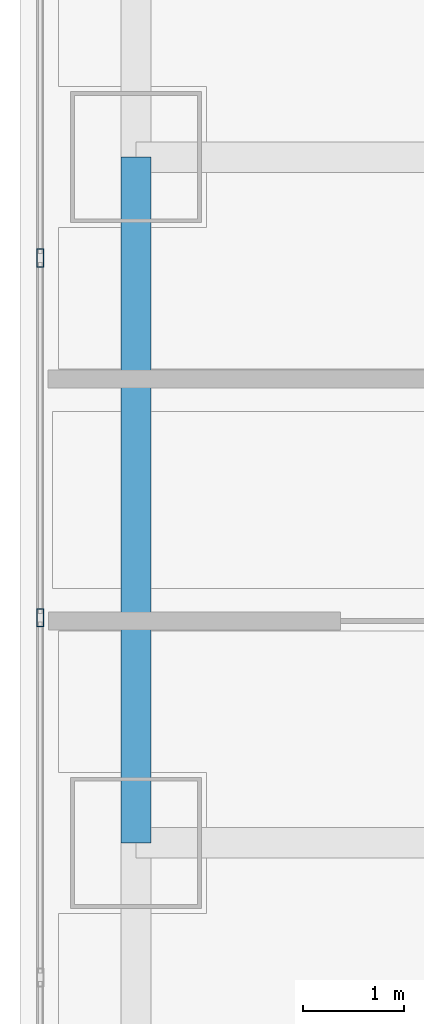
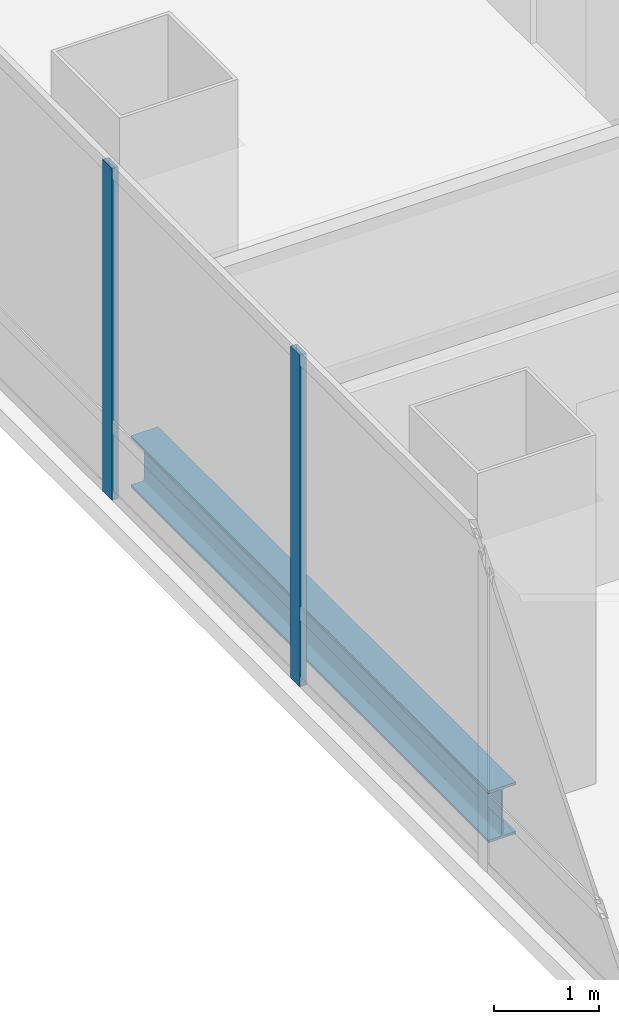
# One storey, part 10 of 39: 2 members, 1 beam, 1 element without a shape of its own.
"""IFC4 building model written with IfcOpenShell, lengths in metres."""

from ifc_helpers import new_model, si_unit, direction, frame, origin, origin_2d, place, context, subcontext, project, spatial, hollow_rectangle, i_section, extrude, material, material_profile, profile_set, type_object, element, aggregate, save


model = new_model("IFC4")

# Units and contexts
model_context = context("Model", 3, precision=1e-05, world=origin(), true_north=direction((0.0, 1.0)))
body_context = subcontext(model_context, "Body", "Model", "MODEL_VIEW")
ifc_project = project(units=[si_unit("LENGTHUNIT", "METRE"), si_unit("AREAUNIT", "SQUARE_METRE"), si_unit("VOLUMEUNIT", "CUBIC_METRE"), si_unit("PLANEANGLEUNIT", "RADIAN"), si_unit("MASSUNIT", "GRAM", prefix="KILO")], contexts=[model_context])

# Site, building, storey
site_placement = place(None, origin())
site = spatial("IfcSite", under=ifc_project, at=site_placement, CompositionType="ELEMENT")
building_placement = place(site_placement, origin())
building = spatial("IfcBuilding", under=site, at=building_placement, Name="Punatoya Terracotta Tower", CompositionType="ELEMENT")
storey_placement = place(building_placement, frame((0.0, 0.0, 275.699951171875)))
storey = spatial("IfcBuildingStorey", under=building, at=storey_placement, Name="L65", CompositionType="ELEMENT", Elevation=275.699951171875)

# Beam
ifc_material_1 = material(Name="Steel S355", Category="steel")
ifc_material_profile_1 = material_profile(ifc_material_1, i_section(OverallWidth=0.300048828125, OverallDepth=0.60009765625, WebThickness=0.015380859375, FlangeThickness=0.030029296875, FilletRadius=0.01806640625, at=origin_2d()))
ifc_profile_set_1 = profile_set([ifc_material_profile_1], Name="Steel S355")
beam_type = type_object("IfcBeamType", Name="BM-PRI-600", PredefinedType="BEAM", material=ifc_profile_set_1)
beam_placement = place(storey_placement, frame((-19.10009765625, -3.39990234375, -0.5), z_axis=(0.0, 1.0, 0.0), x_axis=(-1.0, 0.0, 0.0)))
element("IfcBeam", 1, at=beam_placement, inside=storey, type_object=beam_type, Name="BM-L65-RG-W2", PredefinedType="BEAM", context=body_context, shape_type="SweptSolid", body=[
    extrude(i_section(OverallWidth=0.300048828125, OverallDepth=0.60009765625, WebThickness=0.015380859375, FlangeThickness=0.030029296875, FilletRadius=0.01806640625, at=origin_2d()), origin(), (0.0, 0.0, 1.0), 6.7998046875),
])

# Curtain wall, members
ifc_material_2 = material(Name="Aluminium 6063-T6 + Double Low-E Glass", Category="aluminium")
curtain_wall_type = type_object("IfcCurtainWallType", Name="CW-M3", PredefinedType="NOTDEFINED", material=ifc_material_2)
curtain_wall_placement = place(storey_placement, origin())
curtain_wall = element("IfcCurtainWall", 2, at=curtain_wall_placement, inside=storey, type_object=curtain_wall_type, Name="L65 Curtain Wall CW-L65-W13-1", PredefinedType="NOTDEFINED")
ifc_material_3 = material(Name="Aluminium 6063-T6", Category="aluminium")
ifc_material_profile_2 = material_profile(ifc_material_3, hollow_rectangle(XDim=0.070068359375, YDim=0.179931640625, WallThickness=0.00390625, at=origin_2d()))
ifc_profile_set_2 = profile_set([ifc_material_profile_2], Name="Aluminium 6063-T6")
member_type = type_object("IfcMemberType", Name="CW-MUL-M3", PredefinedType="MULLION", material=ifc_profile_set_2)
member_1_placement = place(storey_placement, frame((-20.050048828125, 2.39990234375, 0.0), z_axis=(0.0, 0.0, 1.0), x_axis=(1.0, 0.0, 0.0)))
member_1 = element("IfcMember", 3, at=member_1_placement, type_object=member_type, Name="CW-L65-W13-1 Mullion 05", PredefinedType="MULLION", context=body_context, shape_type="SweptSolid", body=[
    extrude(hollow_rectangle(XDim=0.070068359375, YDim=0.179931640625, WallThickness=0.00390625, at=origin_2d()), origin(), (0.0, 0.0, 1.0), 3.85009765625),
])
member_2_placement = place(storey_placement, frame((-20.050048828125, -1.16748046875, 0.0), z_axis=(0.0, 0.0, 1.0), x_axis=(1.0, 0.0, 0.0)))
member_2 = element("IfcMember", 4, at=member_2_placement, type_object=member_type, Name="CW-L65-W13-1 Mullion 06", PredefinedType="MULLION", context=body_context, shape_type="SweptSolid", body=[
    extrude(hollow_rectangle(XDim=0.070068359375, YDim=0.179931640625, WallThickness=0.00390625, at=origin_2d()), origin(), (0.0, 0.0, 1.0), 3.85009765625),
])
aggregate(curtain_wall, [member_1, member_2])

save(model, "model.ifc")
